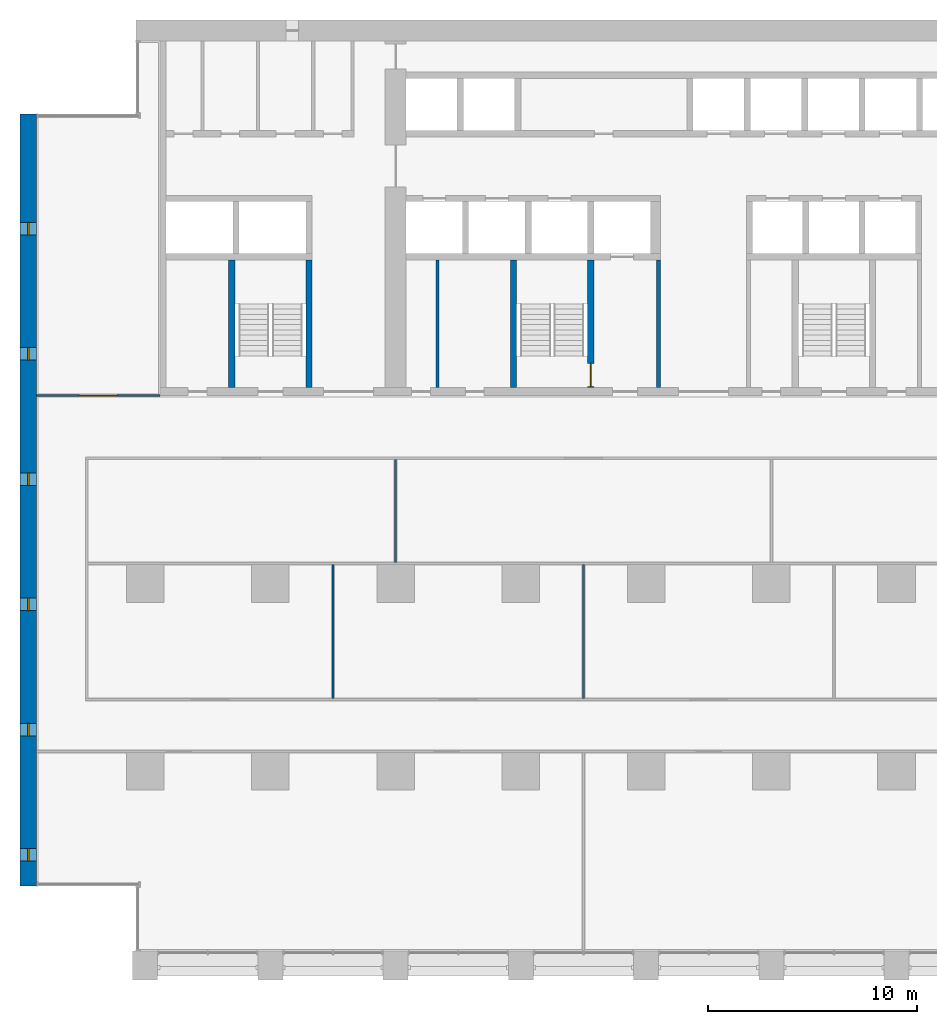
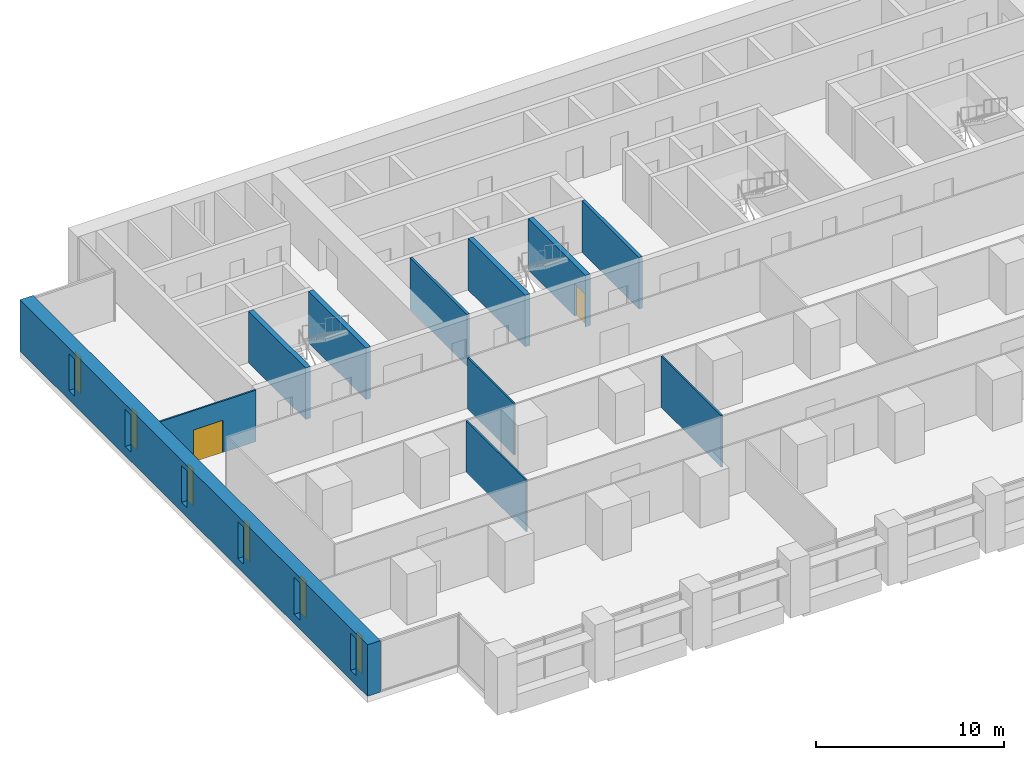
# One storey, part 8 of 18: 11 walls, 6 windows, 2 doors, 8 openings.
"""IFC4 building model written with IfcOpenShell, lengths in metres."""

from ifc_helpers import new_model, si_unit, direction, frame, frame_2d, origin, place, context, subcontext, project, spatial, rectangle, extrude, material, layer, layer_set, type_object, element, fill, save


model = new_model("IFC4")

# Units and contexts
model_context = context("Model", 3, precision=1e-05, world=origin(), true_north=direction((0.0, 1.0)))
body_context = subcontext(model_context, "Body", "Model", "MODEL_VIEW")
ifc_project = project(units=[si_unit("LENGTHUNIT", "METRE"), si_unit("AREAUNIT", "SQUARE_METRE"), si_unit("VOLUMEUNIT", "CUBIC_METRE"), si_unit("PLANEANGLEUNIT", "RADIAN"), si_unit("MASSUNIT", "GRAM", prefix="KILO")], contexts=[model_context])

# Site, building, storey
site_placement = place(None, origin())
site = spatial("IfcSite", under=ifc_project, at=site_placement, CompositionType="ELEMENT")
building_placement = place(site_placement, origin())
building = spatial("IfcBuilding", under=site, at=building_placement, Name="Calvaro Tower", CompositionType="ELEMENT")
storey_placement = place(building_placement, frame((0.0, 0.0, 33.75)))
storey = spatial("IfcBuildingStorey", under=building, at=storey_placement, Name="L07", CompositionType="ELEMENT", Elevation=33.75)

# Walls
ifc_material_1 = material(Name="Blockwork partition", Category="masonry")
ifc_layer_1 = layer(ifc_material_1, 0.14990234375)
ifc_layer_set_1 = layer_set([ifc_layer_1], Name="Blockwork partition")
wall_type_1 = type_object("IfcWallType", Name="Core partition 150 REI 120", PredefinedType="PARTITIONING", material=ifc_layer_set_1)
wall_1_placement = place(storey_placement, frame((20.0, 28.39990234375, 0.0), z_axis=(0.0, 0.0, 1.0), x_axis=(0.0, 1.0, 0.0)))
element("IfcWall", 1, at=wall_1_placement, inside=storey, type_object=wall_type_1, Name="Core partition", PredefinedType="PARTITIONING", context=body_context, shape_type="SweptSolid", body=[
    extrude(rectangle(XDim=6.10009765625, YDim=0.14990234375, at=frame_2d((3.050048828125, 0.0))), origin(), (0.0, 0.0, 1.0), 3.35009765625),
])
ifc_material_2 = material(Name="Blockwork partition", Category="masonry")
ifc_layer_2 = layer(ifc_material_2, 0.199951171875)
ifc_layer_set_2 = layer_set([ifc_layer_2], Name="Blockwork partition")
wall_type_2 = type_object("IfcWallType", Name="Core partition 200 REI 120", PredefinedType="PARTITIONING", material=ifc_layer_set_2)
wall_2_placement = place(storey_placement, frame((30.60009765625, 28.39990234375, 0.0), z_axis=(0.0, 0.0, 1.0), x_axis=(0.0, 1.0, 0.0)))
element("IfcWall", 2, at=wall_2_placement, inside=storey, type_object=wall_type_2, Name="Core partition", PredefinedType="PARTITIONING", context=body_context, shape_type="SweptSolid", body=[
    extrude(rectangle(XDim=6.10009765625, YDim=0.199951171875, at=frame_2d((3.050048828125, 0.0))), origin(), (0.0, 0.0, 1.0), 3.35009765625),
])
ifc_material_3 = material(Name="Concrete C80/95", Category="concrete")
ifc_layer_3 = layer(ifc_material_3, 0.300048828125)
ifc_layer_set_3 = layer_set([ifc_layer_3], Name="Concrete C80/95")
wall_type_3 = type_object("IfcWallType", Name="Core wall C80/95 300", PredefinedType="SHEAR", material=ifc_layer_set_3)
for number, where, z_axis, x_axis, name in (
    (3, (10.14990234375, 28.39990234375, 0.0), (0.0, 0.0, 1.0), (0.0, 1.0, 0.0), "Core wall, stair enclosure"),
    (4, (13.85009765625, 28.39990234375, 0.0), (0.0, 0.0, 1.0), (0.0, 1.0, 0.0), "Core wall, stair enclosure"),
    (5, (23.64990234375, 28.39990234375, 0.0), (0.0, 0.0, 1.0), (0.0, 1.0, 0.0), "Core wall, stair enclosure"),
):
    element("IfcWall", number, at=place(storey_placement, frame(where, z_axis=z_axis, x_axis=x_axis)), inside=storey, type_object=wall_type_3, Name=name, PredefinedType="SHEAR", context=body_context, shape_type="SweptSolid", body=[
        extrude(rectangle(XDim=6.10009765625, YDim=0.300048828125, at=frame_2d((3.050048828125, 0.0))), origin(), (0.0, 0.0, 1.0), 3.35009765625),
    ])

# Wall, opening, door
wall_3_placement = place(storey_placement, frame((27.35009765625, 28.39990234375, 0.0), z_axis=(0.0, 0.0, 1.0), x_axis=(0.0, 1.0, 0.0)))
wall_3 = element("IfcWall", 6, at=wall_3_placement, inside=storey, type_object=wall_type_3, Name="Core wall, stair enclosure", PredefinedType="SHEAR", context=body_context, shape_type="SweptSolid", body=[
    extrude(rectangle(XDim=6.10009765625, YDim=0.300048828125, at=frame_2d((3.050048828125, 0.0))), origin(), (0.0, 0.0, 1.0), 3.35009765625),
])
opening_1_placement = place(wall_3_placement, frame((0.050048828125, 0.0, 0.0)))
opening_1 = element("IfcOpeningElement", 7, at=opening_1_placement, cuts=wall_3, Name="Opening FD11D", PredefinedType="OPENING", context=body_context, shape_type="SweptSolid", body=[
    extrude(rectangle(XDim=1.10009765625, YDim=2.10009765625, at=frame_2d((0.550048828125, 1.050048828125))), frame((0.0, 0.159912109375, 0.0), z_axis=(0.0, -1.0, 0.0), x_axis=(1.0, 0.0, 0.0)), (0.0, 0.0, 1.0), 0.320068359375),
])
ifc_material_4 = material(Name="Steel door set", Category="steel")
door_type_1 = type_object("IfcDoorType", Name="Fire door 1100 FD30S", OperationType="SINGLE_SWING_LEFT", PredefinedType="DOOR", material=ifc_material_4)
door_1_placement = place(opening_1_placement, origin())
door_1 = element("IfcDoor", 8, at=door_1_placement, inside=storey, type_object=door_type_1, Name="Fire door", OperationType="SINGLE_SWING_LEFT", OverallHeight=2.10009765625, OverallWidth=1.10009765625, PredefinedType="DOOR", context=body_context, shape_type="SweptSolid", body=[
    extrude(rectangle(XDim=1.10009765625, YDim=2.10009765625, at=frame_2d((0.550048828125, 1.050048828125))), frame((0.0, 0.02490234375, 0.0), z_axis=(0.0, -1.0, 0.0), x_axis=(1.0, 0.0, 0.0)), (0.0, 0.0, 1.0), 0.050048828125),
])
fill(opening_1, door_1)

# Wall, openings, windows
ifc_material_5 = material(Name="Concrete C80/95", Category="concrete")
ifc_layer_4 = layer(ifc_material_5, 0.800048828125)
ifc_layer_set_4 = layer_set([ifc_layer_4], Name="Concrete C80/95")
wall_type_4 = type_object("IfcWallType", Name="End wall 800 C80/95", PredefinedType="SHEAR", material=ifc_layer_set_4)
wall_4_placement = place(storey_placement, frame((0.39990234375, 4.5, 0.0), z_axis=(0.0, 0.0, 1.0), x_axis=(0.0, 1.0, 0.0)))
wall_4 = element("IfcWall", 9, at=wall_4_placement, inside=storey, type_object=wall_type_4, Name="End shear wall", PredefinedType="SHEAR", context=body_context, shape_type="SweptSolid", body=[
    extrude(rectangle(XDim=37.0, YDim=0.800048828125, at=frame_2d((18.5, 0.0))), origin(), (0.0, 0.0, 1.0), 3.35009765625),
])
opening_2_placement = place(wall_4_placement, frame((1.199951171875, 0.0, 0.60009765625)))
opening_2 = element("IfcOpeningElement", 10, at=opening_2_placement, cuts=wall_4, Name="Opening WW01", PredefinedType="OPENING", context=body_context, shape_type="SweptSolid", body=[
    extrude(rectangle(XDim=0.60009765625, YDim=2.39990234375, at=frame_2d((0.300048828125, 1.199951171875))), frame((0.0, 0.409912109375, 0.0), z_axis=(0.0, -1.0, 0.0), x_axis=(1.0, 0.0, 0.0)), (0.0, 0.0, 1.0), 0.820068359375),
])
opening_3_placement = place(wall_4_placement, frame((7.199951171875, 0.0, 0.60009765625)))
opening_3 = element("IfcOpeningElement", 11, at=opening_3_placement, cuts=wall_4, Name="Opening WW02", PredefinedType="OPENING", context=body_context, shape_type="SweptSolid", body=[
    extrude(rectangle(XDim=0.60009765625, YDim=2.39990234375, at=frame_2d((0.300048828125, 1.199951171875))), frame((0.0, 0.409912109375, 0.0), z_axis=(0.0, -1.0, 0.0), x_axis=(1.0, 0.0, 0.0)), (0.0, 0.0, 1.0), 0.820068359375),
])
opening_4_placement = place(wall_4_placement, frame((13.199951171875, 0.0, 0.60009765625)))
opening_4 = element("IfcOpeningElement", 12, at=opening_4_placement, cuts=wall_4, Name="Opening WW03", PredefinedType="OPENING", context=body_context, shape_type="SweptSolid", body=[
    extrude(rectangle(XDim=0.60009765625, YDim=2.39990234375, at=frame_2d((0.300048828125, 1.199951171875))), frame((0.0, 0.409912109375, 0.0), z_axis=(0.0, -1.0, 0.0), x_axis=(1.0, 0.0, 0.0)), (0.0, 0.0, 1.0), 0.820068359375),
])
opening_5_placement = place(wall_4_placement, frame((19.199951171875, 0.0, 0.60009765625)))
opening_5 = element("IfcOpeningElement", 13, at=opening_5_placement, cuts=wall_4, Name="Opening WW04", PredefinedType="OPENING", context=body_context, shape_type="SweptSolid", body=[
    extrude(rectangle(XDim=0.60009765625, YDim=2.39990234375, at=frame_2d((0.300048828125, 1.199951171875))), frame((0.0, 0.409912109375, 0.0), z_axis=(0.0, -1.0, 0.0), x_axis=(1.0, 0.0, 0.0)), (0.0, 0.0, 1.0), 0.820068359375),
])
opening_6_placement = place(wall_4_placement, frame((25.199951171875, 0.0, 0.60009765625)))
opening_6 = element("IfcOpeningElement", 14, at=opening_6_placement, cuts=wall_4, Name="Opening WW05", PredefinedType="OPENING", context=body_context, shape_type="SweptSolid", body=[
    extrude(rectangle(XDim=0.60009765625, YDim=2.39990234375, at=frame_2d((0.300048828125, 1.199951171875))), frame((0.0, 0.409912109375, 0.0), z_axis=(0.0, -1.0, 0.0), x_axis=(1.0, 0.0, 0.0)), (0.0, 0.0, 1.0), 0.820068359375),
])
opening_7_placement = place(wall_4_placement, frame((31.199951171875, 0.0, 0.60009765625)))
opening_7 = element("IfcOpeningElement", 15, at=opening_7_placement, cuts=wall_4, Name="Opening WW06", PredefinedType="OPENING", context=body_context, shape_type="SweptSolid", body=[
    extrude(rectangle(XDim=0.60009765625, YDim=2.39990234375, at=frame_2d((0.300048828125, 1.199951171875))), frame((0.0, 0.409912109375, 0.0), z_axis=(0.0, -1.0, 0.0), x_axis=(1.0, 0.0, 0.0)), (0.0, 0.0, 1.0), 0.820068359375),
])
ifc_material_6 = material(Name="Glass", Category="glass")
window_type = type_object("IfcWindowType", Name="Slit window 600 x 2400", PartitioningType="SINGLE_PANEL", PredefinedType="WINDOW", material=ifc_material_6)
window_1_placement = place(opening_2_placement, origin())
window_1 = element("IfcWindow", 16, at=window_1_placement, inside=storey, type_object=window_type, Name="Window WW01", OverallHeight=2.39990234375, OverallWidth=0.60009765625, PartitioningType="SINGLE_PANEL", PredefinedType="WINDOW", context=body_context, shape_type="SweptSolid", body=[
    extrude(rectangle(XDim=0.60009765625, YDim=2.39990234375, at=frame_2d((0.300048828125, 1.199951171875))), frame((0.0, 0.030029296875, 0.0), z_axis=(0.0, -1.0, 0.0), x_axis=(1.0, 0.0, 0.0)), (0.0, 0.0, 1.0), 0.06005859375),
])
fill(opening_2, window_1)
window_2_placement = place(opening_3_placement, origin())
window_2 = element("IfcWindow", 17, at=window_2_placement, inside=storey, type_object=window_type, Name="Window WW02", OverallHeight=2.39990234375, OverallWidth=0.60009765625, PartitioningType="SINGLE_PANEL", PredefinedType="WINDOW", context=body_context, shape_type="SweptSolid", body=[
    extrude(rectangle(XDim=0.60009765625, YDim=2.39990234375, at=frame_2d((0.300048828125, 1.199951171875))), frame((0.0, 0.030029296875, 0.0), z_axis=(0.0, -1.0, 0.0), x_axis=(1.0, 0.0, 0.0)), (0.0, 0.0, 1.0), 0.06005859375),
])
fill(opening_3, window_2)
window_3_placement = place(opening_4_placement, origin())
window_3 = element("IfcWindow", 18, at=window_3_placement, inside=storey, type_object=window_type, Name="Window WW03", OverallHeight=2.39990234375, OverallWidth=0.60009765625, PartitioningType="SINGLE_PANEL", PredefinedType="WINDOW", context=body_context, shape_type="SweptSolid", body=[
    extrude(rectangle(XDim=0.60009765625, YDim=2.39990234375, at=frame_2d((0.300048828125, 1.199951171875))), frame((0.0, 0.030029296875, 0.0), z_axis=(0.0, -1.0, 0.0), x_axis=(1.0, 0.0, 0.0)), (0.0, 0.0, 1.0), 0.06005859375),
])
fill(opening_4, window_3)
window_4_placement = place(opening_5_placement, origin())
window_4 = element("IfcWindow", 19, at=window_4_placement, inside=storey, type_object=window_type, Name="Window WW04", OverallHeight=2.39990234375, OverallWidth=0.60009765625, PartitioningType="SINGLE_PANEL", PredefinedType="WINDOW", context=body_context, shape_type="SweptSolid", body=[
    extrude(rectangle(XDim=0.60009765625, YDim=2.39990234375, at=frame_2d((0.300048828125, 1.199951171875))), frame((0.0, 0.030029296875, 0.0), z_axis=(0.0, -1.0, 0.0), x_axis=(1.0, 0.0, 0.0)), (0.0, 0.0, 1.0), 0.06005859375),
])
fill(opening_5, window_4)
window_5_placement = place(opening_6_placement, origin())
window_5 = element("IfcWindow", 20, at=window_5_placement, inside=storey, type_object=window_type, Name="Window WW05", OverallHeight=2.39990234375, OverallWidth=0.60009765625, PartitioningType="SINGLE_PANEL", PredefinedType="WINDOW", context=body_context, shape_type="SweptSolid", body=[
    extrude(rectangle(XDim=0.60009765625, YDim=2.39990234375, at=frame_2d((0.300048828125, 1.199951171875))), frame((0.0, 0.030029296875, 0.0), z_axis=(0.0, -1.0, 0.0), x_axis=(1.0, 0.0, 0.0)), (0.0, 0.0, 1.0), 0.06005859375),
])
fill(opening_6, window_5)
window_6_placement = place(opening_7_placement, origin())
window_6 = element("IfcWindow", 21, at=window_6_placement, inside=storey, type_object=window_type, Name="Window WW06", OverallHeight=2.39990234375, OverallWidth=0.60009765625, PartitioningType="SINGLE_PANEL", PredefinedType="WINDOW", context=body_context, shape_type="SweptSolid", body=[
    extrude(rectangle(XDim=0.60009765625, YDim=2.39990234375, at=frame_2d((0.300048828125, 1.199951171875))), frame((0.0, 0.030029296875, 0.0), z_axis=(0.0, -1.0, 0.0), x_axis=(1.0, 0.0, 0.0)), (0.0, 0.0, 1.0), 0.06005859375),
])
fill(opening_7, window_6)

# Wall, opening, door
ifc_material_7 = material(Name="Plasterboard on steel studs", Category="steel")
ifc_layer_5 = layer(ifc_material_7, 0.10009765625)
ifc_layer_set_5 = layer_set([ifc_layer_5], Name="Plasterboard on steel studs")
wall_type_5 = type_object("IfcWallType", Name="Partition 100", PredefinedType="PARTITIONING", material=ifc_layer_set_5)
wall_5_placement = place(storey_placement, frame((0.800048828125, 28.0, 0.0), z_axis=(0.0, 0.0, 1.0), x_axis=(1.0, 0.0, 0.0)))
wall_5 = element("IfcWall", 22, at=wall_5_placement, inside=storey, type_object=wall_type_5, Name="Partition T08.W005", PredefinedType="PARTITIONING", context=body_context, shape_type="SweptSolid", body=[
    extrude(rectangle(XDim=5.89990234375, YDim=0.10009765625, at=frame_2d((2.949951171875, 0.0))), origin(), (0.0, 0.0, 1.0), 3.35009765625),
])
opening_8_placement = place(wall_5_placement, frame((2.050048828125, 0.0, 0.0)))
opening_8 = element("IfcOpeningElement", 23, at=opening_8_placement, cuts=wall_5, Name="Opening T08.017", PredefinedType="OPENING", context=body_context, shape_type="SweptSolid", body=[
    extrude(rectangle(XDim=1.800048828125, YDim=2.10009765625, at=frame_2d((0.89990234375, 1.050048828125))), frame((0.0, 0.06005859375, 0.0), z_axis=(0.0, -1.0, 0.0), x_axis=(1.0, 0.0, 0.0)), (0.0, 0.0, 1.0), 0.1201171875),
])
ifc_material_8 = material(Name="Timber", Category="wood")
door_type_2 = type_object("IfcDoorType", Name="Internal double door 1800 x 2100", OperationType="DOUBLE_DOOR_SINGLE_SWING", PredefinedType="DOOR", material=ifc_material_8)
door_2_placement = place(opening_8_placement, origin())
door_2 = element("IfcDoor", 24, at=door_2_placement, inside=storey, type_object=door_type_2, Name="Door T08.017", OperationType="DOUBLE_DOOR_SINGLE_SWING", OverallHeight=2.10009765625, OverallWidth=1.800048828125, PredefinedType="DOOR", context=body_context, shape_type="SweptSolid", body=[
    extrude(rectangle(XDim=1.800048828125, YDim=2.10009765625, at=frame_2d((0.89990234375, 1.050048828125))), frame((0.0, 0.02490234375, 0.0), z_axis=(0.0, -1.0, 0.0), x_axis=(1.0, 0.0, 0.0)), (0.0, 0.0, 1.0), 0.050048828125),
])
fill(opening_8, door_2)

# Walls
wall_6_placement = place(storey_placement, frame((15.0, 13.5, 0.0), z_axis=(0.0, 0.0, 1.0), x_axis=(0.0, 1.0, 0.0)))
element("IfcWall", 25, at=wall_6_placement, inside=storey, type_object=wall_type_5, Name="Partition T08.W008", PredefinedType="PARTITIONING", context=body_context, shape_type="SweptSolid", body=[
    extrude(rectangle(XDim=6.39990234375, YDim=0.10009765625, at=frame_2d((3.199951171875, 0.0))), origin(), (0.0, 0.0, 1.0), 3.35009765625),
])
wall_7_placement = place(storey_placement, frame((18.0, 20.0, 0.0), z_axis=(0.0, 0.0, 1.0), x_axis=(0.0, 1.0, 0.0)))
element("IfcWall", 26, at=wall_7_placement, inside=storey, type_object=wall_type_5, Name="Partition T08.W009", PredefinedType="PARTITIONING", context=body_context, shape_type="SweptSolid", body=[
    extrude(rectangle(XDim=4.949951171875, YDim=0.10009765625, at=frame_2d((2.47509765625, 0.0))), origin(), (0.0, 0.0, 1.0), 3.35009765625),
])
wall_8_placement = place(storey_placement, frame((27.0, 13.5, 0.0), z_axis=(0.0, 0.0, 1.0), x_axis=(0.0, 1.0, 0.0)))
element("IfcWall", 27, at=wall_8_placement, inside=storey, type_object=wall_type_5, Name="Partition T08.W011", PredefinedType="PARTITIONING", context=body_context, shape_type="SweptSolid", body=[
    extrude(rectangle(XDim=6.39990234375, YDim=0.10009765625, at=frame_2d((3.199951171875, 0.0))), origin(), (0.0, 0.0, 1.0), 3.35009765625),
])

save(model, "model.ifc")
